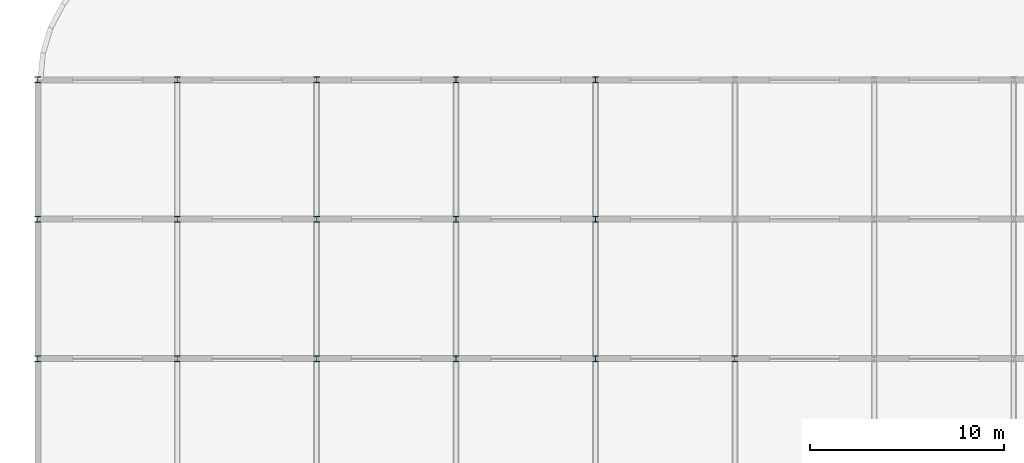
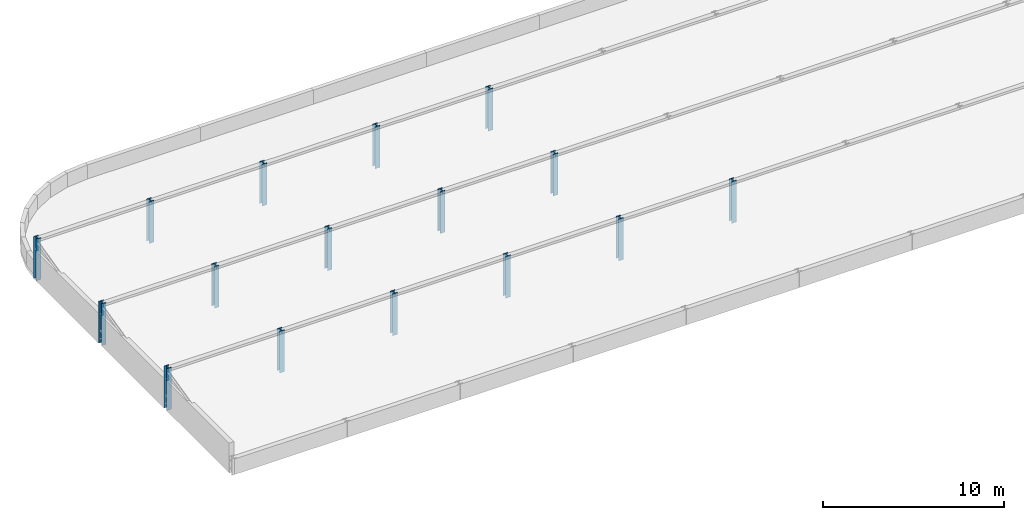
# One storey, part 4 of 19: 16 columns.
"""IFC4 building model written with IfcOpenShell, lengths in metres."""

from ifc_helpers import new_model, si_unit, direction, frame, origin, origin_2d, place, context, subcontext, project, spatial, i_section, extrude, material, material_profile, profile_set, type_object, element, save


model = new_model("IFC4")

# Units and contexts
model_context = context("Model", 3, precision=1e-05, world=origin(), true_north=direction((0.0, 1.0)))
body_context = subcontext(model_context, "Body", "Model", "MODEL_VIEW")
ifc_project = project(units=[si_unit("LENGTHUNIT", "METRE"), si_unit("AREAUNIT", "SQUARE_METRE"), si_unit("VOLUMEUNIT", "CUBIC_METRE"), si_unit("PLANEANGLEUNIT", "RADIAN"), si_unit("MASSUNIT", "GRAM", prefix="KILO")], contexts=[model_context])

# Site, building, storey
site_placement = place(None, origin())
site = spatial("IfcSite", under=ifc_project, at=site_placement, CompositionType="ELEMENT")
building_placement = place(site_placement, origin())
building = spatial("IfcBuilding", under=site, at=building_placement, Name="Thalmaran Polytechnic", CompositionType="ELEMENT")
storey_placement = place(building_placement, frame((0.0, 0.0, 26.699951171875)))
storey = spatial("IfcBuildingStorey", under=building, at=storey_placement, Name="L06", CompositionType="ELEMENT", Elevation=26.699951171875)

# Columns
ifc_material = material(Name="Steel S355", Category="steel")
ifc_material_profile = material_profile(ifc_material, i_section(OverallWidth=0.300048828125, OverallDepth=0.300048828125, WebThickness=0.010986328125, FlangeThickness=0.01904296875, at=origin_2d()), Name="HEB 300")
ifc_profile_set = profile_set([ifc_material_profile], Name="Steel S355")
column_type = type_object("IfcColumnType", Name="COL-SC2", PredefinedType="COLUMN", material=ifc_profile_set)
for number, where, z_axis, x_axis, name in (
    (1, (0.0, 100.800048828125, 0.0), (0.0, 0.0, 1.0), (1.0, 0.0, 0.0), "Library Sawtooth Post G00x14"),
    (2, (0.0, 108.0, 0.0), (0.0, 0.0, 1.0), (1.0, 0.0, 0.0), "Library Sawtooth Post G00x15"),
    (3, (0.0, 115.199951171875, 0.0), (0.0, 0.0, 1.0), (1.0, 0.0, 0.0), "Library Sawtooth Post G00x16"),
    (4, (7.199951171875, 100.800048828125, 0.0), (0.0, 0.0, 1.0), (1.0, 0.0, 0.0), "Library Sawtooth Post G01x14"),
    (5, (7.199951171875, 108.0, 0.0), (0.0, 0.0, 1.0), (1.0, 0.0, 0.0), "Library Sawtooth Post G01x15"),
    (6, (7.199951171875, 115.199951171875, 0.0), (0.0, 0.0, 1.0), (1.0, 0.0, 0.0), "Library Sawtooth Post G01x16"),
    (7, (14.39990234375, 100.800048828125, 0.0), (0.0, 0.0, 1.0), (1.0, 0.0, 0.0), "Library Sawtooth Post G02x14"),
    (8, (14.39990234375, 108.0, 0.0), (0.0, 0.0, 1.0), (1.0, 0.0, 0.0), "Library Sawtooth Post G02x15"),
    (9, (14.39990234375, 115.199951171875, 0.0), (0.0, 0.0, 1.0), (1.0, 0.0, 0.0), "Library Sawtooth Post G02x16"),
    (10, (21.60009765625, 100.800048828125, 0.0), (0.0, 0.0, 1.0), (1.0, 0.0, 0.0), "Library Sawtooth Post G03x14"),
    (11, (21.60009765625, 108.0, 0.0), (0.0, 0.0, 1.0), (1.0, 0.0, 0.0), "Library Sawtooth Post G03x15"),
    (12, (21.60009765625, 115.199951171875, 0.0), (0.0, 0.0, 1.0), (1.0, 0.0, 0.0), "Library Sawtooth Post G03x16"),
    (13, (28.800048828125, 100.800048828125, 0.0), (0.0, 0.0, 1.0), (1.0, 0.0, 0.0), "Library Sawtooth Post G04x14"),
    (14, (28.800048828125, 108.0, 0.0), (0.0, 0.0, 1.0), (1.0, 0.0, 0.0), "Library Sawtooth Post G04x15"),
    (15, (28.800048828125, 115.199951171875, 0.0), (0.0, 0.0, 1.0), (1.0, 0.0, 0.0), "Library Sawtooth Post G04x16"),
    (16, (36.0, 100.800048828125, 0.0), (0.0, 0.0, 1.0), (1.0, 0.0, 0.0), "Library Sawtooth Post G05x14"),
):
    element("IfcColumn", number, at=place(storey_placement, frame(where, z_axis=z_axis, x_axis=x_axis)), inside=storey, type_object=column_type, Name=name, PredefinedType="COLUMN", context=body_context, shape_type="SweptSolid", body=[
        extrude(i_section(OverallWidth=0.300048828125, OverallDepth=0.300048828125, WebThickness=0.010986328125, FlangeThickness=0.01904296875, at=origin_2d()), origin(), (0.0, 0.0, 1.0), 2.82861328125),
    ])

save(model, "model.ifc")
